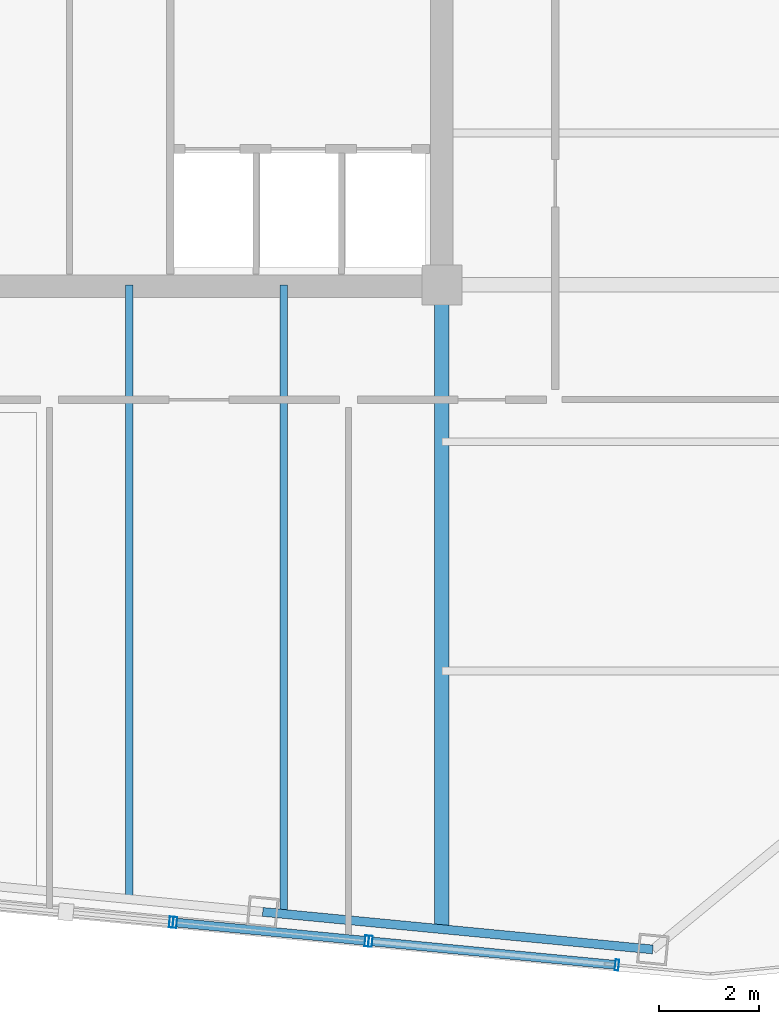
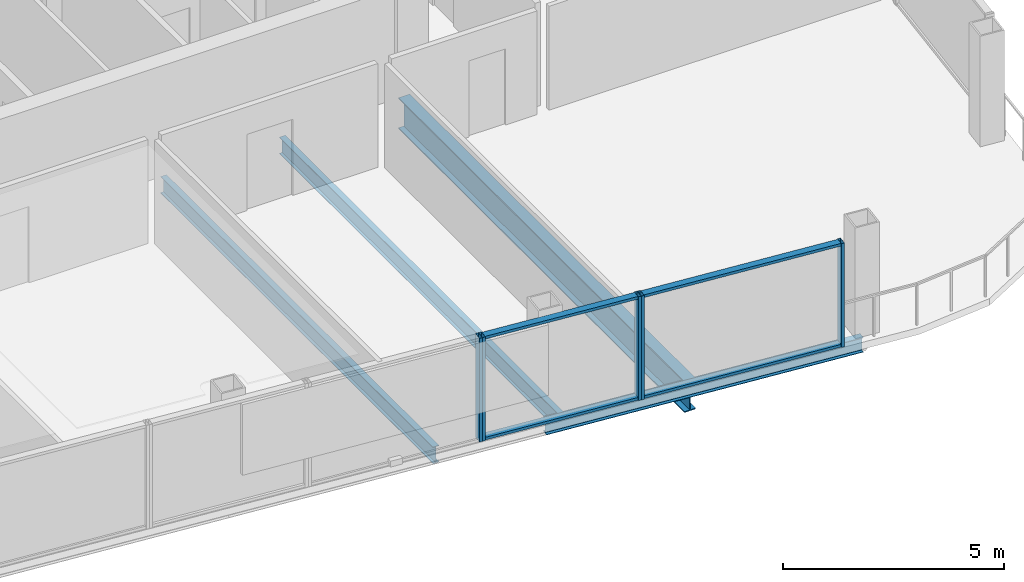
# One storey, part 5 of 23: 9 members, 4 beams, 3 elements without a shape of their own.
"""IFC4 building model written with IfcOpenShell, lengths in metres."""

from ifc_helpers import new_model, si_unit, direction, frame, origin, origin_2d, place, context, subcontext, project, spatial, hollow_rectangle, i_section, extrude, material, layer, layer_set, material_profile, profile_set, type_object, element, aggregate, save


model = new_model("IFC4")

# Units and contexts
model_context = context("Model", 3, precision=1e-05, world=origin(), true_north=direction((0.0, 1.0)))
body_context = subcontext(model_context, "Body", "Model", "MODEL_VIEW")
ifc_project = project(units=[si_unit("LENGTHUNIT", "METRE"), si_unit("AREAUNIT", "SQUARE_METRE"), si_unit("VOLUMEUNIT", "CUBIC_METRE"), si_unit("PLANEANGLEUNIT", "RADIAN"), si_unit("MASSUNIT", "GRAM", prefix="KILO")], contexts=[model_context])

# Site, building, storey
site_placement = place(None, origin())
site = spatial("IfcSite", under=ifc_project, at=site_placement, CompositionType="ELEMENT")
building_placement = place(site_placement, origin())
building = spatial("IfcBuilding", under=site, at=building_placement, Name="Qhalaya Broadcast Tower", CompositionType="ELEMENT")
storey_placement = place(building_placement, frame((0.0, 0.0, 264.199951171875)))
storey = spatial("IfcBuildingStorey", under=building, at=storey_placement, Name="L78", CompositionType="ELEMENT", Elevation=264.199951171875)

# Beams
ifc_material_1 = material(Name="Structural Steel ASTM A992 Grade 50", Category="steel")
ifc_material_profile_1 = material_profile(ifc_material_1, i_section(OverallWidth=0.154052734375, OverallDepth=0.458984375, WebThickness=0.009033203125, FlangeThickness=0.015380859375, at=origin_2d()), Name="W18X46")
ifc_profile_set_1 = profile_set([ifc_material_profile_1], Name="Structural Steel ASTM A992 Grade 50")
beam_type_1 = type_object("IfcBeamType", Name="Composite Floor Joist J04", PredefinedType="JOIST", material=ifc_profile_set_1)
beam_1_placement = place(storey_placement, frame((3.10009765625, -21.058349609375, -0.41943359375), z_axis=(0.0, 1.0, 0.0), x_axis=(-1.0, 0.0, 0.0)))
element("IfcBeam", 1, at=beam_1_placement, inside=storey, type_object=beam_type_1, Name="L78 J04 L78-JNS4-1", PredefinedType="JOIST", context=body_context, shape_type="SweptSolid", body=[
    extrude(i_section(OverallWidth=0.154052734375, OverallDepth=0.458984375, WebThickness=0.009033203125, FlangeThickness=0.015380859375, at=origin_2d()), origin(), (0.0, 0.0, 1.0), 12.308349609375),
])
beam_2_placement = place(storey_placement, frame((6.199951171875, -21.35693359375, -0.41943359375), z_axis=(0.0, 1.0, 0.0), x_axis=(-1.0, 0.0, 0.0)))
element("IfcBeam", 2, at=beam_2_placement, inside=storey, type_object=beam_type_1, Name="L78 J04 L78-JNS5-1", PredefinedType="JOIST", context=body_context, shape_type="SweptSolid", body=[
    extrude(i_section(OverallWidth=0.154052734375, OverallDepth=0.458984375, WebThickness=0.009033203125, FlangeThickness=0.015380859375, at=origin_2d()), origin(), (0.0, 0.0, 1.0), 12.60693359375),
])

# Curtain wall, member
ifc_material_2 = material(Name="Fired Architectural Terracotta", Category="masonry")
ifc_layer_1 = layer(ifc_material_2, 0.219970703125, Name="Fired Architectural Terracotta")
ifc_layer_set_1 = layer_set([ifc_layer_1], Name="Fired Architectural Terracotta")
curtain_wall_type_1 = type_object("IfcCurtainWallType", Name="Block-Cap Unitised Terracotta Spandrel Wall CW-07", PredefinedType="NOTDEFINED", material=ifc_layer_set_1)
curtain_wall_1_placement = place(storey_placement, origin())
curtain_wall_1 = element("IfcCurtainWall", 3, at=curtain_wall_1_placement, inside=storey, type_object=curtain_wall_type_1, Name="L78 Unitised Curtain Wall L78-CW-S3", PredefinedType="NOTDEFINED")
ifc_material_3 = material(Name="Anodised Aluminium 6063-T6", Category="aluminium")
ifc_material_profile_2 = material_profile(ifc_material_3, hollow_rectangle(XDim=0.074951171875, YDim=0.219970703125, WallThickness=0.00390625, at=origin_2d()), Name="ALU-MUL 75x220x4")
ifc_profile_set_2 = profile_set([ifc_material_profile_2], Name="Anodised Aluminium 6063-T6")
member_type_1 = type_object("IfcMemberType", Name="Unitised Curtain-Wall Mullion M01", PredefinedType="MULLION", material=ifc_profile_set_2)
member_1_placement = place(storey_placement, frame((3.94091796875, -21.541259765625, 0.0), z_axis=(0.0, 0.0, 1.0), x_axis=(0.995397029971, -0.095837115594, 0.0)))
member_1 = element("IfcMember", 4, at=member_1_placement, type_object=member_type_1, Name="CW-07 mullion 2", PredefinedType="MULLION", context=body_context, shape_type="SweptSolid", body=[
    extrude(hollow_rectangle(XDim=0.074951171875, YDim=0.219970703125, WallThickness=0.00390625, at=origin_2d()), origin(), (0.0, 0.0, 1.0), 2.860107421875),
])
aggregate(curtain_wall_1, [member_1])

# Curtain wall, members
ifc_material_4 = material(Name="Solar-Control Low-E Triple Glazing", Category="glass")
ifc_layer_2 = layer(ifc_material_4, 0.219970703125, Name="Solar-Control Low-E Triple Glazing")
ifc_layer_set_2 = layer_set([ifc_layer_2], Name="Solar-Control Low-E Triple Glazing")
curtain_wall_type_2 = type_object("IfcCurtainWallType", Name="High-Altitude Upper-Shaft Triple Low-E Curtain Wall CW-04", PredefinedType="NOTDEFINED", material=ifc_layer_set_2)
curtain_wall_2_placement = place(storey_placement, origin())
curtain_wall_2 = element("IfcCurtainWall", 5, at=curtain_wall_2_placement, inside=storey, type_object=curtain_wall_type_2, Name="L78 Unitised Curtain Wall L78-CW-S4", PredefinedType="NOTDEFINED")
member_2_placement = place(storey_placement, frame((4.015625, -21.548583984375, 0.0), z_axis=(0.0, 0.0, 1.0), x_axis=(0.995394380747, -0.095864627352, 0.0)))
member_2 = element("IfcMember", 6, at=member_2_placement, type_object=member_type_1, Name="CW-04 mullion 1", PredefinedType="MULLION", context=body_context, shape_type="SweptSolid", body=[
    extrude(hollow_rectangle(XDim=0.074951171875, YDim=0.219970703125, WallThickness=0.00390625, at=origin_2d()), origin(), (0.0, 0.0, 1.0), 2.860107421875),
])
member_3_placement = place(storey_placement, frame((7.865966796875, -21.919189453125, 0.0), z_axis=(0.0, 0.0, 1.0), x_axis=(0.995394380747, -0.095864627352, 0.0)))
member_3 = element("IfcMember", 7, at=member_3_placement, type_object=member_type_1, Name="CW-04 mullion 2", PredefinedType="MULLION", context=body_context, shape_type="SweptSolid", body=[
    extrude(hollow_rectangle(XDim=0.074951171875, YDim=0.219970703125, WallThickness=0.00390625, at=origin_2d()), origin(), (0.0, 0.0, 1.0), 2.860107421875),
])

curtain_wall_3_placement = place(storey_placement, origin())
curtain_wall_3 = element("IfcCurtainWall", 8, at=curtain_wall_3_placement, inside=storey, type_object=curtain_wall_type_1, Name="L78 Unitised Curtain Wall L78-CW-S5", PredefinedType="NOTDEFINED")
member_4_placement = place(storey_placement, frame((7.9404296875, -21.926513671875, 0.0), z_axis=(0.0, 0.0, 1.0), x_axis=(0.995396854807, -0.095838934889, 0.0)))
member_4 = element("IfcMember", 9, at=member_4_placement, type_object=member_type_1, Name="CW-07 mullion 1", PredefinedType="MULLION", context=body_context, shape_type="SweptSolid", body=[
    extrude(hollow_rectangle(XDim=0.074951171875, YDim=0.219970703125, WallThickness=0.00390625, at=origin_2d()), origin(), (0.0, 0.0, 1.0), 2.860107421875),
])
member_5_placement = place(storey_placement, frame((12.887451171875, -22.40283203125, 0.0), z_axis=(0.0, 0.0, 1.0), x_axis=(0.995396854807, -0.095838934889, 0.0)))
member_5 = element("IfcMember", 10, at=member_5_placement, type_object=member_type_1, Name="CW-07 mullion 2", PredefinedType="MULLION", context=body_context, shape_type="SweptSolid", body=[
    extrude(hollow_rectangle(XDim=0.074951171875, YDim=0.219970703125, WallThickness=0.00390625, at=origin_2d()), origin(), (0.0, 0.0, 1.0), 2.860107421875),
])

# Member
ifc_material_profile_3 = material_profile(ifc_material_3, hollow_rectangle(XDim=0.074951171875, YDim=0.179931640625, WallThickness=0.00390625, at=origin_2d()), Name="ALU-TRN 75x180x4")
ifc_profile_set_3 = profile_set([ifc_material_profile_3], Name="Anodised Aluminium 6063-T6")
member_type_2 = type_object("IfcMemberType", Name="Unitised Curtain-Wall Transom T01", PredefinedType="USERDEFINED", material=ifc_profile_set_3)
member_6_placement = place(storey_placement, frame((4.052978515625, -21.552001953125, 0.03759765625), z_axis=(0.995390732395, -0.09590250186, 0.0), x_axis=(0.0, 0.0, 1.0)))
member_6 = element("IfcMember", 11, at=member_6_placement, type_object=member_type_2, Name="CW-04 transom 1.1", ObjectType="TRANSOM", PredefinedType="USERDEFINED", context=body_context, shape_type="SweptSolid", body=[
    extrude(hollow_rectangle(XDim=0.074951171875, YDim=0.179931640625, WallThickness=0.00390625, at=origin_2d()), origin(), (0.0, 0.0, 1.0), 3.793212890625),
])

member_7_placement = place(storey_placement, frame((4.052978515625, -21.552001953125, 2.822509765625), z_axis=(0.995390732395, -0.09590250186, 0.0), x_axis=(0.0, 0.0, 1.0)))
member_7 = element("IfcMember", 12, at=member_7_placement, type_object=member_type_2, Name="CW-04 transom 1.2", ObjectType="TRANSOM", PredefinedType="USERDEFINED", context=body_context, shape_type="SweptSolid", body=[
    extrude(hollow_rectangle(XDim=0.074951171875, YDim=0.179931640625, WallThickness=0.00390625, at=origin_2d()), origin(), (0.0, 0.0, 1.0), 3.793212890625),
])

aggregate(curtain_wall_2, [member_2, member_3, member_6, member_7])

member_8_placement = place(storey_placement, frame((7.977783203125, -21.93017578125, 0.03759765625), z_axis=(0.99539970371, -0.095809341158, 0.0), x_axis=(0.0, 0.0, 1.0)))
member_8 = element("IfcMember", 13, at=member_8_placement, type_object=member_type_2, Name="CW-07 transom 1.1", ObjectType="TRANSOM", PredefinedType="USERDEFINED", context=body_context, shape_type="SweptSolid", body=[
    extrude(hollow_rectangle(XDim=0.074951171875, YDim=0.179931640625, WallThickness=0.00390625, at=origin_2d()), origin(), (0.0, 0.0, 1.0), 4.89501953125),
])

member_9_placement = place(storey_placement, frame((7.977783203125, -21.93017578125, 2.822509765625), z_axis=(0.99539970371, -0.095809341158, 0.0), x_axis=(0.0, 0.0, 1.0)))
member_9 = element("IfcMember", 14, at=member_9_placement, type_object=member_type_2, Name="CW-07 transom 1.2", ObjectType="TRANSOM", PredefinedType="USERDEFINED", context=body_context, shape_type="SweptSolid", body=[
    extrude(hollow_rectangle(XDim=0.074951171875, YDim=0.179931640625, WallThickness=0.00390625, at=origin_2d()), origin(), (0.0, 0.0, 1.0), 4.89501953125),
])

aggregate(curtain_wall_3, [member_4, member_5, member_8, member_9])

# Beams
ifc_material_profile_4 = material_profile(ifc_material_1, i_section(OverallWidth=0.2919921875, OverallDepth=0.85888671875, WebThickness=0.01708984375, FlangeThickness=0.031005859375, at=origin_2d()), Name="W33X169")
ifc_profile_set_4 = profile_set([ifc_material_profile_4], Name="Structural Steel ASTM A992 Grade 50")
beam_type_2 = type_object("IfcBeamType", Name="Upper Block Primary Girder PG4", PredefinedType="USERDEFINED", material=ifc_profile_set_4)
beam_3_placement = place(storey_placement, frame((9.375, -21.66259765625, -0.619384765625), z_axis=(0.0, 1.0, 0.0), x_axis=(-1.0, 0.0, 0.0)))
element("IfcBeam", 15, at=beam_3_placement, inside=storey, type_object=beam_type_2, Name="L78 PG4 L78-PGXS2-1", ObjectType="GIRDER", PredefinedType="USERDEFINED", context=body_context, shape_type="SweptSolid", body=[
    extrude(i_section(OverallWidth=0.2919921875, OverallDepth=0.85888671875, WebThickness=0.01708984375, FlangeThickness=0.031005859375, at=origin_2d()), origin(), (0.0, 0.0, 1.0), 12.91259765625),
])
ifc_material_profile_5 = material_profile(ifc_material_1, i_section(OverallWidth=0.177978515625, OverallDepth=0.406005859375, WebThickness=0.0078125, FlangeThickness=0.0126953125, at=origin_2d()), Name="W16X40")
ifc_profile_set_5 = profile_set([ifc_material_profile_5], Name="Structural Steel ASTM A992 Grade 50")
beam_type_3 = type_object("IfcBeamType", Name="Upper Perimeter Spandrel Beam SP2", PredefinedType="SPANDREL", material=ifc_profile_set_5)
beam_4_placement = place(storey_placement, frame((5.77783203125, -21.33642578125, -0.39306640625), z_axis=(0.995397308407, -0.095834223619, 0.0), x_axis=(0.095834223619, 0.995397308407, 0.0)))
element("IfcBeam", 16, at=beam_4_placement, inside=storey, type_object=beam_type_3, Name="L78 SP2 L78-SPR-03", PredefinedType="SPANDREL", context=body_context, shape_type="SweptSolid", body=[
    extrude(i_section(OverallWidth=0.177978515625, OverallDepth=0.406005859375, WebThickness=0.0078125, FlangeThickness=0.0126953125, at=origin_2d()), origin(), (0.0, 0.0, 1.0), 7.86669921875),
])

save(model, "model.ifc")
